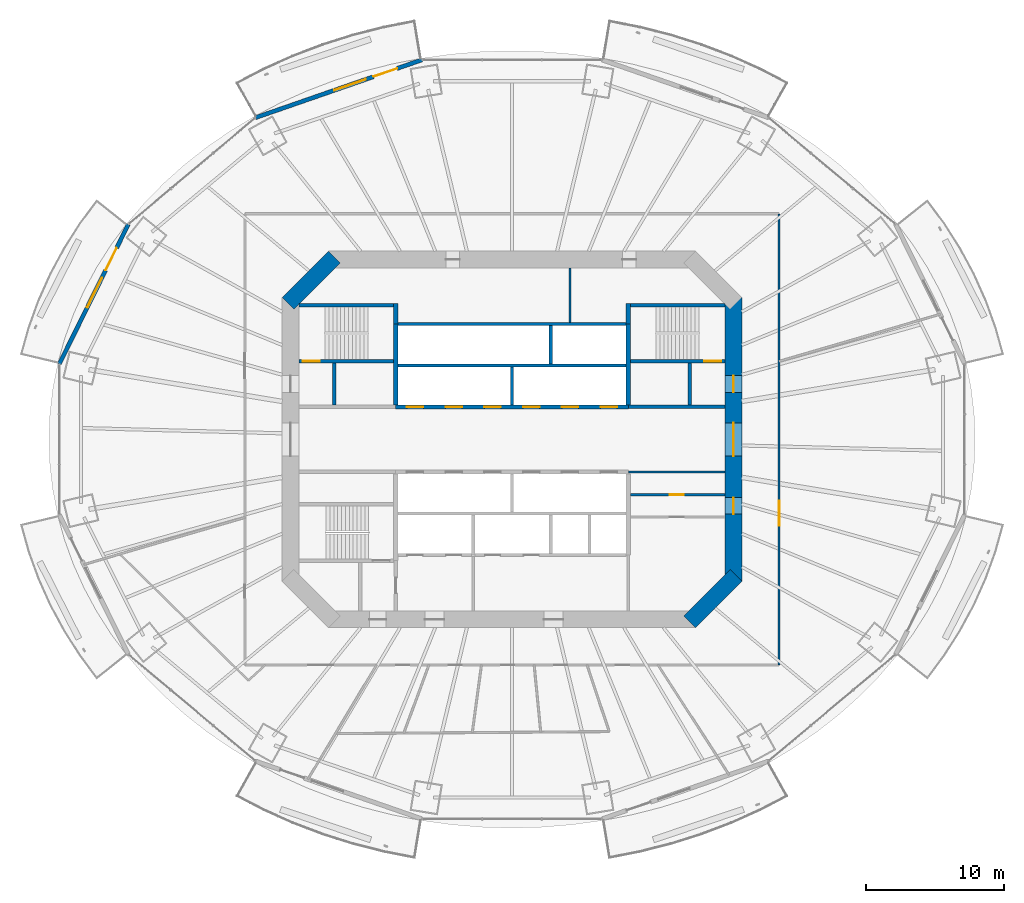
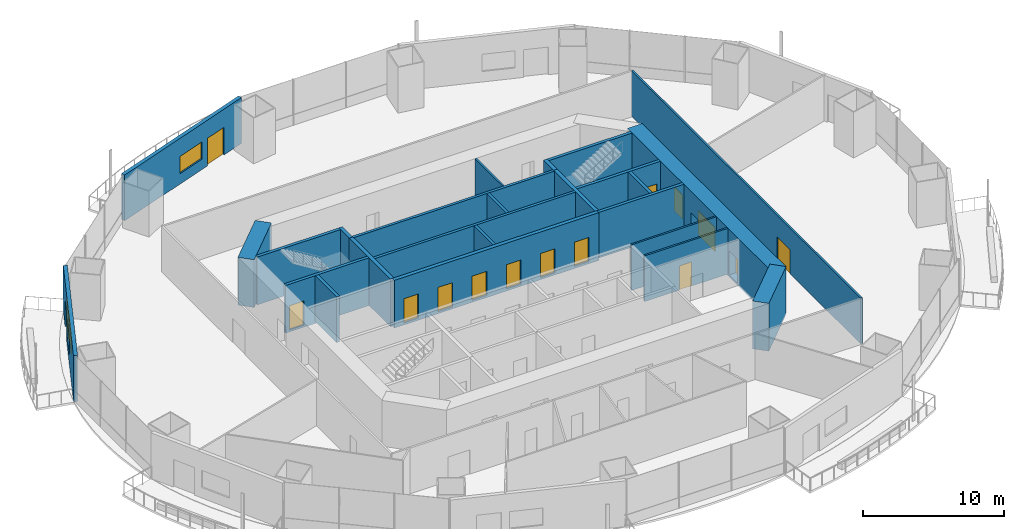
# One storey, part 14 of 20: 25 walls, 15 doors, 2 windows, 17 openings.
"""IFC4 building model written with IfcOpenShell, lengths in metres."""

from ifc_helpers import new_model, si_unit, direction, frame, frame_2d, origin, place, context, subcontext, project, spatial, rectangle, extrude, material, layer, layer_set, type_object, element, fill, save


model = new_model("IFC4")

# Units and contexts
model_context = context("Model", 3, precision=1e-05, world=origin(), true_north=direction((0.0, 1.0)))
body_context = subcontext(model_context, "Body", "Model", "MODEL_VIEW")
ifc_project = project(units=[si_unit("LENGTHUNIT", "METRE"), si_unit("AREAUNIT", "SQUARE_METRE"), si_unit("VOLUMEUNIT", "CUBIC_METRE"), si_unit("PLANEANGLEUNIT", "RADIAN"), si_unit("MASSUNIT", "GRAM", prefix="KILO")], contexts=[model_context])

# Site, building, storey
site_placement = place(None, origin())
site = spatial("IfcSite", under=ifc_project, at=site_placement, CompositionType="ELEMENT")
building_placement = place(site_placement, origin())
building = spatial("IfcBuilding", under=site, at=building_placement, Name="Marenthal Gate Tower", CompositionType="ELEMENT")
storey_placement = place(building_placement, frame((0.0, 0.0, 136.75)))
storey = spatial("IfcBuildingStorey", under=building, at=storey_placement, Name="L29", CompositionType="ELEMENT", Elevation=136.75)

# Wall
ifc_material_1 = material(Name="Concrete 60 MPa", Category="concrete")
ifc_layer_1 = layer(ifc_material_1, 1.199951171875)
ifc_layer_set_1 = layer_set([ifc_layer_1], Name="Core shear wall 1200")
wall_type_1 = type_object("IfcWallType", Name="Core shear wall 1200", PredefinedType="SHEAR", material=ifc_layer_set_1)
wall_1_placement = place(storey_placement, frame((12.82421875, -13.17578125, -0.179931640625), z_axis=(0.0, 0.0, 1.0), x_axis=(0.707106781187, 0.707106781187, 0.0)))
element("IfcWall", 1, at=wall_1_placement, inside=storey, type_object=wall_type_1, Name="Core wall 01", PredefinedType="SHEAR", context=body_context, shape_type="SweptSolid", body=[
    extrude(rectangle(XDim=4.73974609375, YDim=1.199951171875, at=frame_2d((2.369873046875, 0.0))), origin(), (0.0, 0.0, 1.0), 4.14990234375),
])

# Wall, openings, doors
wall_2_placement = place(storey_placement, frame((16.0, -10.24853515625, -0.179931640625), z_axis=(0.0, 0.0, 1.0), x_axis=(0.0, 1.0, 0.0)))
wall_2 = element("IfcWall", 2, at=wall_2_placement, inside=storey, type_object=wall_type_1, Name="Core wall 02", PredefinedType="SHEAR", context=body_context, shape_type="SweptSolid", body=[
    extrude(rectangle(XDim=20.4970703125, YDim=1.199951171875, at=frame_2d((10.24853515625, 0.0))), origin(), (0.0, 0.0, 1.0), 4.14990234375),
])
opening_1_placement = place(wall_2_placement, frame((9.048583984375, 0.0, 0.179931640625)))
opening_1 = element("IfcOpeningElement", 3, at=opening_1_placement, cuts=wall_2, Name="Opening D003.02", PredefinedType="OPENING", context=body_context, shape_type="SweptSolid", body=[
    extrude(rectangle(XDim=2.39990234375, YDim=2.10009765625, at=frame_2d((1.199951171875, 1.050048828125))), frame((0.0, 0.60986328125, 0.0), z_axis=(0.0, -1.0, 0.0), x_axis=(1.0, 0.0, 0.0)), (0.0, 0.0, 1.0), 1.219970703125),
])
opening_2_placement = place(wall_2_placement, frame((13.6484375, 0.0, 0.179931640625)))
opening_2 = element("IfcOpeningElement", 4, at=opening_2_placement, cuts=wall_2, Name="Opening D001.05", PredefinedType="OPENING", context=body_context, shape_type="SweptSolid", body=[
    extrude(rectangle(XDim=1.199951171875, YDim=2.10009765625, at=frame_2d((0.60009765625, 1.050048828125))), frame((0.0, 0.60986328125, 0.0), z_axis=(0.0, -1.0, 0.0), x_axis=(1.0, 0.0, 0.0)), (0.0, 0.0, 1.0), 1.219970703125),
])
opening_3_placement = place(wall_2_placement, frame((4.848388671875, 0.0, 0.179931640625)))
opening_3 = element("IfcOpeningElement", 5, at=opening_3_placement, cuts=wall_2, Name="Opening D006.01", PredefinedType="OPENING", context=body_context, shape_type="SweptSolid", body=[
    extrude(rectangle(XDim=1.199951171875, YDim=2.10009765625, at=frame_2d((0.60009765625, 1.050048828125))), frame((0.0, 0.60986328125, 0.0), z_axis=(0.0, -1.0, 0.0), x_axis=(1.0, 0.0, 0.0)), (0.0, 0.0, 1.0), 1.219970703125),
])
ifc_material_2 = material(Name="Steel fire door", Category="steel")
door_type_1 = type_object("IfcDoorType", Name="Double fire door FD 45 2400 x 2100", OperationType="DOUBLE_DOOR_SINGLE_SWING", PredefinedType="DOOR", material=ifc_material_2)
door_1_placement = place(opening_1_placement, origin())
door_1 = element("IfcDoor", 6, at=door_1_placement, inside=storey, type_object=door_type_1, Name="Door D003.02", OperationType="DOUBLE_DOOR_SINGLE_SWING", OverallHeight=2.10009765625, OverallWidth=2.39990234375, PredefinedType="DOOR", context=body_context, shape_type="SweptSolid", body=[
    extrude(rectangle(XDim=2.39990234375, YDim=2.10009765625, at=frame_2d((1.199951171875, 1.050048828125))), frame((0.0, 0.02490234375, 0.0), z_axis=(0.0, -1.0, 0.0), x_axis=(1.0, 0.0, 0.0)), (0.0, 0.0, 1.0), 0.050048828125),
])
fill(opening_1, door_1)
ifc_material_3 = material(Name="Steel fire door", Category="steel")
door_type_2 = type_object("IfcDoorType", Name="Fire door FD 45 1200 x 2100", OperationType="NOTDEFINED", PredefinedType="DOOR", material=ifc_material_3)
door_2_placement = place(opening_3_placement, origin())
door_2 = element("IfcDoor", 7, at=door_2_placement, inside=storey, type_object=door_type_2, Name="Door D006.01", OperationType="SINGLE_SWING_RIGHT", OverallHeight=2.10009765625, OverallWidth=1.199951171875, PredefinedType="DOOR", context=body_context, shape_type="SweptSolid", body=[
    extrude(rectangle(XDim=1.199951171875, YDim=2.10009765625, at=frame_2d((0.60009765625, 1.050048828125))), frame((0.0, 0.02490234375, 0.0), z_axis=(0.0, -1.0, 0.0), x_axis=(1.0, 0.0, 0.0)), (0.0, 0.0, 1.0), 0.050048828125),
])
fill(opening_3, door_2)
ifc_material_4 = material(Name="Steel fire door", Category="steel")
door_type_3 = type_object("IfcDoorType", Name="Fire door FD 90 1200 x 2100", OperationType="NOTDEFINED", PredefinedType="DOOR", material=ifc_material_4)
door_3_placement = place(opening_2_placement, origin())
door_3 = element("IfcDoor", 8, at=door_3_placement, inside=storey, type_object=door_type_3, Name="Door D001.05", OperationType="SINGLE_SWING_RIGHT", OverallHeight=2.10009765625, OverallWidth=1.199951171875, PredefinedType="DOOR", context=body_context, shape_type="SweptSolid", body=[
    extrude(rectangle(XDim=1.199951171875, YDim=2.10009765625, at=frame_2d((0.60009765625, 1.050048828125))), frame((0.0, 0.02490234375, 0.0), z_axis=(0.0, -1.0, 0.0), x_axis=(1.0, 0.0, 0.0)), (0.0, 0.0, 1.0), 0.050048828125),
])
fill(opening_2, door_3)

# Wall
wall_3_placement = place(storey_placement, frame((-12.82421875, 13.17578125, -0.179931640625), z_axis=(0.0, 0.0, 1.0), x_axis=(-0.707106781187, -0.707106781187, 0.0)))
element("IfcWall", 9, at=wall_3_placement, inside=storey, type_object=wall_type_1, Name="Core wall 05", PredefinedType="SHEAR", context=body_context, shape_type="SweptSolid", body=[
    extrude(rectangle(XDim=4.73974609375, YDim=1.199951171875, at=frame_2d((2.369873046875, 0.0))), origin(), (0.0, 0.0, 1.0), 4.14990234375),
])

# Wall, openings, doors
ifc_material_5 = material(Name="Concrete 50 MPa", Category="concrete")
ifc_layer_2 = layer(ifc_material_5, 0.300048828125)
ifc_layer_set_2 = layer_set([ifc_layer_2], Name="Hoistway shear wall 300")
wall_type_2 = type_object("IfcWallType", Name="Hoistway shear wall 300", PredefinedType="SHEAR", material=ifc_layer_set_2)
wall_4_placement = place(storey_placement, frame((-8.39990234375, 2.35009765625, -0.179931640625), z_axis=(0.0, 0.0, 1.0), x_axis=(1.0, 0.0, 0.0)))
wall_4 = element("IfcWall", 10, at=wall_4_placement, inside=storey, type_object=wall_type_2, Name="Hoistway wall 20", PredefinedType="SHEAR", context=body_context, shape_type="SweptSolid", body=[
    extrude(rectangle(XDim=16.7998046875, YDim=0.300048828125, at=frame_2d((8.39990234375, 0.0))), origin(), (0.0, 0.0, 1.0), 4.14990234375),
])
opening_4_placement = place(wall_4_placement, frame((0.800048828125, 0.0, 0.179931640625)))
opening_4 = element("IfcOpeningElement", 11, at=opening_4_placement, cuts=wall_4, Name="Opening LD-LP1", PredefinedType="OPENING", context=body_context, shape_type="SweptSolid", body=[
    extrude(rectangle(XDim=1.199951171875, YDim=2.10009765625, at=frame_2d((0.60009765625, 1.050048828125))), frame((0.0, 0.16015625, 0.0), z_axis=(0.0, -1.0, 0.0), x_axis=(1.0, 0.0, 0.0)), (0.0, 0.0, 1.0), 0.320068359375),
])
opening_5_placement = place(wall_4_placement, frame((3.60009765625, 0.0, 0.179931640625)))
opening_5 = element("IfcOpeningElement", 12, at=opening_5_placement, cuts=wall_4, Name="Opening LD-LP2", PredefinedType="OPENING", context=body_context, shape_type="SweptSolid", body=[
    extrude(rectangle(XDim=1.199951171875, YDim=2.10009765625, at=frame_2d((0.60009765625, 1.050048828125))), frame((0.0, 0.16015625, 0.0), z_axis=(0.0, -1.0, 0.0), x_axis=(1.0, 0.0, 0.0)), (0.0, 0.0, 1.0), 0.320068359375),
])
opening_6_placement = place(wall_4_placement, frame((6.39990234375, 0.0, 0.179931640625)))
opening_6 = element("IfcOpeningElement", 13, at=opening_6_placement, cuts=wall_4, Name="Opening LD-LP3", PredefinedType="OPENING", context=body_context, shape_type="SweptSolid", body=[
    extrude(rectangle(XDim=1.199951171875, YDim=2.10009765625, at=frame_2d((0.60009765625, 1.050048828125))), frame((0.0, 0.16015625, 0.0), z_axis=(0.0, -1.0, 0.0), x_axis=(1.0, 0.0, 0.0)), (0.0, 0.0, 1.0), 0.320068359375),
])
opening_7_placement = place(wall_4_placement, frame((9.199951171875, 0.0, 0.179931640625)))
opening_7 = element("IfcOpeningElement", 14, at=opening_7_placement, cuts=wall_4, Name="Opening LD-LP4", PredefinedType="OPENING", context=body_context, shape_type="SweptSolid", body=[
    extrude(rectangle(XDim=1.199951171875, YDim=2.10009765625, at=frame_2d((0.60009765625, 1.050048828125))), frame((0.0, 0.16015625, 0.0), z_axis=(0.0, -1.0, 0.0), x_axis=(1.0, 0.0, 0.0)), (0.0, 0.0, 1.0), 0.320068359375),
])
opening_8_placement = place(wall_4_placement, frame((12.0, 0.0, 0.179931640625)))
opening_8 = element("IfcOpeningElement", 15, at=opening_8_placement, cuts=wall_4, Name="Opening LD-LP5", PredefinedType="OPENING", context=body_context, shape_type="SweptSolid", body=[
    extrude(rectangle(XDim=1.199951171875, YDim=2.10009765625, at=frame_2d((0.60009765625, 1.050048828125))), frame((0.0, 0.16015625, 0.0), z_axis=(0.0, -1.0, 0.0), x_axis=(1.0, 0.0, 0.0)), (0.0, 0.0, 1.0), 0.320068359375),
])
opening_9_placement = place(wall_4_placement, frame((14.800048828125, 0.0, 0.179931640625)))
opening_9 = element("IfcOpeningElement", 16, at=opening_9_placement, cuts=wall_4, Name="Opening LD-LP6", PredefinedType="OPENING", context=body_context, shape_type="SweptSolid", body=[
    extrude(rectangle(XDim=1.199951171875, YDim=2.10009765625, at=frame_2d((0.60009765625, 1.050048828125))), frame((0.0, 0.16015625, 0.0), z_axis=(0.0, -1.0, 0.0), x_axis=(1.0, 0.0, 0.0)), (0.0, 0.0, 1.0), 0.320068359375),
])
ifc_material_6 = material(Name="Stainless steel sliding door", Category="steel")
door_type_4 = type_object("IfcDoorType", Name="Lift landing door FD 90 1200 x 2100", OperationType="DOUBLE_DOOR_SLIDING", PredefinedType="DOOR", material=ifc_material_6)
door_4_placement = place(opening_4_placement, origin())
door_4 = element("IfcDoor", 17, at=door_4_placement, inside=storey, type_object=door_type_4, Name="Lift landing door LP1", OperationType="DOUBLE_DOOR_SLIDING", OverallHeight=2.10009765625, OverallWidth=1.199951171875, PredefinedType="DOOR", context=body_context, shape_type="SweptSolid", body=[
    extrude(rectangle(XDim=1.199951171875, YDim=2.10009765625, at=frame_2d((0.60009765625, 1.050048828125))), frame((0.0, 0.02490234375, 0.0), z_axis=(0.0, -1.0, 0.0), x_axis=(1.0, 0.0, 0.0)), (0.0, 0.0, 1.0), 0.050048828125),
])
fill(opening_4, door_4)
door_5_placement = place(opening_5_placement, origin())
door_5 = element("IfcDoor", 18, at=door_5_placement, inside=storey, type_object=door_type_4, Name="Lift landing door LP2", OperationType="DOUBLE_DOOR_SLIDING", OverallHeight=2.10009765625, OverallWidth=1.199951171875, PredefinedType="DOOR", context=body_context, shape_type="SweptSolid", body=[
    extrude(rectangle(XDim=1.199951171875, YDim=2.10009765625, at=frame_2d((0.60009765625, 1.050048828125))), frame((0.0, 0.02490234375, 0.0), z_axis=(0.0, -1.0, 0.0), x_axis=(1.0, 0.0, 0.0)), (0.0, 0.0, 1.0), 0.050048828125),
])
fill(opening_5, door_5)
door_6_placement = place(opening_6_placement, origin())
door_6 = element("IfcDoor", 19, at=door_6_placement, inside=storey, type_object=door_type_4, Name="Lift landing door LP3", OperationType="DOUBLE_DOOR_SLIDING", OverallHeight=2.10009765625, OverallWidth=1.199951171875, PredefinedType="DOOR", context=body_context, shape_type="SweptSolid", body=[
    extrude(rectangle(XDim=1.199951171875, YDim=2.10009765625, at=frame_2d((0.60009765625, 1.050048828125))), frame((0.0, 0.02490234375, 0.0), z_axis=(0.0, -1.0, 0.0), x_axis=(1.0, 0.0, 0.0)), (0.0, 0.0, 1.0), 0.050048828125),
])
fill(opening_6, door_6)
door_7_placement = place(opening_7_placement, origin())
door_7 = element("IfcDoor", 20, at=door_7_placement, inside=storey, type_object=door_type_4, Name="Lift landing door LP4", OperationType="DOUBLE_DOOR_SLIDING", OverallHeight=2.10009765625, OverallWidth=1.199951171875, PredefinedType="DOOR", context=body_context, shape_type="SweptSolid", body=[
    extrude(rectangle(XDim=1.199951171875, YDim=2.10009765625, at=frame_2d((0.60009765625, 1.050048828125))), frame((0.0, 0.02490234375, 0.0), z_axis=(0.0, -1.0, 0.0), x_axis=(1.0, 0.0, 0.0)), (0.0, 0.0, 1.0), 0.050048828125),
])
fill(opening_7, door_7)
door_8_placement = place(opening_8_placement, origin())
door_8 = element("IfcDoor", 21, at=door_8_placement, inside=storey, type_object=door_type_4, Name="Lift landing door LP5", OperationType="DOUBLE_DOOR_SLIDING", OverallHeight=2.10009765625, OverallWidth=1.199951171875, PredefinedType="DOOR", context=body_context, shape_type="SweptSolid", body=[
    extrude(rectangle(XDim=1.199951171875, YDim=2.10009765625, at=frame_2d((0.60009765625, 1.050048828125))), frame((0.0, 0.02490234375, 0.0), z_axis=(0.0, -1.0, 0.0), x_axis=(1.0, 0.0, 0.0)), (0.0, 0.0, 1.0), 0.050048828125),
])
fill(opening_8, door_8)
door_9_placement = place(opening_9_placement, origin())
door_9 = element("IfcDoor", 22, at=door_9_placement, inside=storey, type_object=door_type_4, Name="Lift landing door LP6", OperationType="DOUBLE_DOOR_SLIDING", OverallHeight=2.10009765625, OverallWidth=1.199951171875, PredefinedType="DOOR", context=body_context, shape_type="SweptSolid", body=[
    extrude(rectangle(XDim=1.199951171875, YDim=2.10009765625, at=frame_2d((0.60009765625, 1.050048828125))), frame((0.0, 0.02490234375, 0.0), z_axis=(0.0, -1.0, 0.0), x_axis=(1.0, 0.0, 0.0)), (0.0, 0.0, 1.0), 0.050048828125),
])
fill(opening_9, door_9)

# Walls
for number, where, z_axis, x_axis, name in (
    (23, (-8.39990234375, 2.5, -0.179931640625), (0.0, 0.0, 1.0), (0.0, 1.0, 0.0), "Hoistway wall 32"),
    (24, (8.39990234375, 2.5, -0.179931640625), (0.0, 0.0, 1.0), (0.0, 1.0, 0.0), "Hoistway wall 44"),
):
    element("IfcWall", number, at=place(storey_placement, frame(where, z_axis=z_axis, x_axis=x_axis)), inside=storey, type_object=wall_type_2, Name=name, PredefinedType="SHEAR", context=body_context, shape_type="SweptSolid", body=[
        extrude(rectangle(XDim=5.85009765625, YDim=0.300048828125, at=frame_2d((2.925048828125, 0.0))), origin(), (0.0, 0.0, 1.0), 4.14990234375),
    ])
ifc_material_7 = material(Name="Concrete 40 MPa", Category="concrete")
ifc_layer_3 = layer(ifc_material_7, 0.219970703125)
ifc_layer_set_3 = layer_set([ifc_layer_3], Name="Hoistway wall 220")
wall_type_3 = type_object("IfcWallType", Name="Hoistway wall 220", PredefinedType="STANDARD", material=ifc_layer_set_3)
for number, where, z_axis, x_axis, name in (
    (25, (-8.25, 5.35009765625, 0.0), (0.0, 0.0, 1.0), (1.0, 0.0, 0.0), "Hoistway wall 22"),
    (26, (-8.25, 8.35009765625, 0.0), (0.0, 0.0, 1.0), (1.0, 0.0, 0.0), "Hoistway wall 25"),
):
    element("IfcWall", number, at=place(storey_placement, frame(where, z_axis=z_axis, x_axis=x_axis)), inside=storey, type_object=wall_type_3, Name=name, PredefinedType="STANDARD", context=body_context, shape_type="SweptSolid", body=[
        extrude(rectangle(XDim=16.5, YDim=0.219970703125, at=frame_2d((8.25, 0.0))), origin(), (0.0, 0.0, 1.0), 3.969970703125),
    ])
wall_5_placement = place(storey_placement, frame((0.0, 2.5, 0.0), z_axis=(0.0, 0.0, 1.0), x_axis=(0.0, 1.0, 0.0)))
element("IfcWall", 27, at=wall_5_placement, inside=storey, type_object=wall_type_3, Name="Hoistway wall 37", PredefinedType="STANDARD", context=body_context, shape_type="SweptSolid", body=[
    extrude(rectangle(XDim=2.739990234375, YDim=0.219970703125, at=frame_2d((1.3701171875, 0.0))), origin(), (0.0, 0.0, 1.0), 3.969970703125),
])
wall_6_placement = place(storey_placement, frame((2.800048828125, 5.4599609375, 0.0), z_axis=(0.0, 0.0, 1.0), x_axis=(0.0, 1.0, 0.0)))
element("IfcWall", 28, at=wall_6_placement, inside=storey, type_object=wall_type_3, Name="Hoistway wall 39", PredefinedType="STANDARD", context=body_context, shape_type="SweptSolid", body=[
    extrude(rectangle(XDim=2.780029296875, YDim=0.219970703125, at=frame_2d((1.39013671875, 0.0))), origin(), (0.0, 0.0, 1.0), 3.969970703125),
])

# Wall, opening, door
ifc_material_8 = material(Name="Gypsum board on steel studs", Category="steel")
ifc_layer_4 = layer(ifc_material_8, 0.14990234375)
ifc_layer_set_4 = layer_set([ifc_layer_4], Name="Partition 150")
wall_type_4 = type_object("IfcWallType", Name="Partition 150", PredefinedType="PARTITIONING", material=ifc_layer_set_4)
wall_7_placement = place(storey_placement, frame((8.550048828125, -4.0, 0.0), z_axis=(0.0, 0.0, 1.0), x_axis=(1.0, 0.0, 0.0)))
wall_7 = element("IfcWall", 29, at=wall_7_placement, inside=storey, type_object=wall_type_4, Name="Partition wall 15", PredefinedType="PARTITIONING", context=body_context, shape_type="SweptSolid", body=[
    extrude(rectangle(XDim=6.849853515625, YDim=0.14990234375, at=frame_2d((3.4248046875, 0.0))), origin(), (0.0, 0.0, 1.0), 3.969970703125),
])
opening_10_placement = place(wall_7_placement, frame((2.85009765625, 0.0, 0.0)))
opening_10 = element("IfcOpeningElement", 30, at=opening_10_placement, cuts=wall_7, Name="Opening D005.03", PredefinedType="OPENING", context=body_context, shape_type="SweptSolid", body=[
    extrude(rectangle(XDim=1.0, YDim=2.10009765625, at=frame_2d((0.5, 1.050048828125))), frame((0.0, 0.0849609375, 0.0), z_axis=(0.0, -1.0, 0.0), x_axis=(1.0, 0.0, 0.0)), (0.0, 0.0, 1.0), 0.169921875),
])
ifc_material_9 = material(Name="Steel fire door", Category="steel")
door_type_5 = type_object("IfcDoorType", Name="Fire door FD 45 1000 x 2100", OperationType="NOTDEFINED", PredefinedType="DOOR", material=ifc_material_9)
door_10_placement = place(opening_10_placement, origin())
door_10 = element("IfcDoor", 31, at=door_10_placement, inside=storey, type_object=door_type_5, Name="Door D005.03", OperationType="SINGLE_SWING_RIGHT", OverallHeight=2.10009765625, OverallWidth=1.0, PredefinedType="DOOR", context=body_context, shape_type="SweptSolid", body=[
    extrude(rectangle(XDim=1.0, YDim=2.10009765625, at=frame_2d((0.5, 1.050048828125))), frame((0.0, 0.02490234375, 0.0), z_axis=(0.0, -1.0, 0.0), x_axis=(1.0, 0.0, 0.0)), (0.0, 0.0, 1.0), 0.050048828125),
])
fill(opening_10, door_10)

# Walls
wall_8_placement = place(storey_placement, frame((8.39990234375, -2.35009765625, 0.0), z_axis=(0.0, 0.0, 1.0), x_axis=(1.0, 0.0, 0.0)))
element("IfcWall", 32, at=wall_8_placement, inside=storey, type_object=wall_type_4, Name="Partition wall 18", PredefinedType="PARTITIONING", context=body_context, shape_type="SweptSolid", body=[
    extrude(rectangle(XDim=7.0, YDim=0.14990234375, at=frame_2d((3.5, 0.0))), origin(), (0.0, 0.0, 1.0), 3.969970703125),
])
wall_9_placement = place(storey_placement, frame((4.199951171875, 8.4599609375, 0.0), z_axis=(0.0, 0.0, 1.0), x_axis=(0.0, 1.0, 0.0)))
element("IfcWall", 33, at=wall_9_placement, inside=storey, type_object=wall_type_4, Name="Partition wall 40", PredefinedType="PARTITIONING", context=body_context, shape_type="SweptSolid", body=[
    extrude(rectangle(XDim=3.93994140625, YDim=0.14990234375, at=frame_2d((1.969970703125, 0.0))), origin(), (0.0, 0.0, 1.0), 3.969970703125),
])

# Wall, opening, door
wall_10_placement = place(storey_placement, frame((19.300048828125, 16.300048828125, 0.0), z_axis=(0.0, 0.0, 1.0), x_axis=(0.0, -1.0, 0.0)))
wall_10 = element("IfcWall", 34, at=wall_10_placement, inside=storey, type_object=wall_type_4, Name="Partition wall 61", PredefinedType="PARTITIONING", context=body_context, shape_type="SweptSolid", body=[
    extrude(rectangle(XDim=32.60009765625, YDim=0.14990234375, at=frame_2d((16.300048828125, 0.0))), origin(), (0.0, 0.0, 1.0), 3.969970703125),
])
opening_11_placement = place(wall_10_placement, frame((20.72998046875, 0.0, 0.0)))
opening_11 = element("IfcOpeningElement", 35, at=opening_11_placement, cuts=wall_10, Name="Opening D014.03", PredefinedType="OPENING", context=body_context, shape_type="SweptSolid", body=[
    extrude(rectangle(XDim=1.800048828125, YDim=2.10009765625, at=frame_2d((0.89990234375, 1.050048828125))), frame((0.0, 0.0849609375, 0.0), z_axis=(0.0, -1.0, 0.0), x_axis=(1.0, 0.0, 0.0)), (0.0, 0.0, 1.0), 0.169921875),
])
ifc_material_10 = material(Name="Timber door", Category="wood")
door_type_6 = type_object("IfcDoorType", Name="Double door 1800 x 2100", OperationType="DOUBLE_DOOR_SINGLE_SWING", PredefinedType="DOOR", material=ifc_material_10)
door_11_placement = place(opening_11_placement, origin())
door_11 = element("IfcDoor", 36, at=door_11_placement, inside=storey, type_object=door_type_6, Name="Door D014.03", OperationType="DOUBLE_DOOR_SINGLE_SWING", OverallHeight=2.10009765625, OverallWidth=1.800048828125, PredefinedType="DOOR", context=body_context, shape_type="SweptSolid", body=[
    extrude(rectangle(XDim=1.800048828125, YDim=2.10009765625, at=frame_2d((0.89990234375, 1.050048828125))), frame((0.0, 0.02490234375, 0.0), z_axis=(0.0, -1.0, 0.0), x_axis=(1.0, 0.0, 0.0)), (0.0, 0.0, 1.0), 0.050048828125),
])
fill(opening_11, door_11)

# Walls
ifc_material_11 = material(Name="Concrete 40 MPa", Category="concrete")
ifc_layer_5 = layer(ifc_material_11, 0.25)
ifc_layer_set_5 = layer_set([ifc_layer_5], Name="Stair enclosure wall 250")
wall_type_5 = type_object("IfcWallType", Name="Stair enclosure wall 250", PredefinedType="STANDARD", material=ifc_layer_set_5)
wall_11_placement = place(storey_placement, frame((8.39990234375, 2.35009765625, 0.0), z_axis=(0.0, 0.0, 1.0), x_axis=(1.0, 0.0, 0.0)))
element("IfcWall", 37, at=wall_11_placement, inside=storey, type_object=wall_type_5, Name="Stair wall 21", PredefinedType="STANDARD", context=body_context, shape_type="SweptSolid", body=[
    extrude(rectangle(XDim=7.0, YDim=0.25, at=frame_2d((3.5, 0.0))), origin(), (0.0, 0.0, 1.0), 3.969970703125),
])
for number, where, z_axis, x_axis, name in (
    (38, (-12.85009765625, 2.47509765625, 0.0), (0.0, 0.0, 1.0), (0.0, 1.0, 0.0), "Stair wall 28"),
    (39, (12.85009765625, 2.47509765625, 0.0), (0.0, 0.0, 1.0), (0.0, 1.0, 0.0), "Stair wall 46"),
):
    element("IfcWall", number, at=place(storey_placement, frame(where, z_axis=z_axis, x_axis=x_axis)), inside=storey, type_object=wall_type_5, Name=name, PredefinedType="STANDARD", context=body_context, shape_type="SweptSolid", body=[
        extrude(rectangle(XDim=3.0498046875, YDim=0.25, at=frame_2d((1.52490234375, 0.0))), origin(), (0.0, 0.0, 1.0), 3.969970703125),
    ])

# Wall, opening, door
ifc_material_12 = material(Name="Concrete 50 MPa", Category="concrete")
ifc_layer_6 = layer(ifc_material_12, 0.25)
ifc_layer_set_6 = layer_set([ifc_layer_6], Name="Stair shear wall 250")
wall_type_6 = type_object("IfcWallType", Name="Stair shear wall 250", PredefinedType="SHEAR", material=ifc_layer_set_6)
wall_12_placement = place(storey_placement, frame((-15.39990234375, 5.64990234375, -0.179931640625), z_axis=(0.0, 0.0, 1.0), x_axis=(1.0, 0.0, 0.0)))
wall_12 = element("IfcWall", 40, at=wall_12_placement, inside=storey, type_object=wall_type_6, Name="Stair wall 23", PredefinedType="SHEAR", context=body_context, shape_type="SweptSolid", body=[
    extrude(rectangle(XDim=6.849853515625, YDim=0.25, at=frame_2d((3.4248046875, 0.0))), origin(), (0.0, 0.0, 1.0), 4.14990234375),
])
opening_12_placement = place(wall_12_placement, frame((0.300048828125, 0.0, 0.179931640625)))
opening_12 = element("IfcOpeningElement", 41, at=opening_12_placement, cuts=wall_12, Name="Opening D001.01", PredefinedType="OPENING", context=body_context, shape_type="SweptSolid", body=[
    extrude(rectangle(XDim=1.199951171875, YDim=2.10009765625, at=frame_2d((0.60009765625, 1.050048828125))), frame((0.0, 0.135009765625, 0.0), z_axis=(0.0, -1.0, 0.0), x_axis=(1.0, 0.0, 0.0)), (0.0, 0.0, 1.0), 0.27001953125),
])
door_12_placement = place(opening_12_placement, origin())
door_12 = element("IfcDoor", 42, at=door_12_placement, inside=storey, type_object=door_type_3, Name="Door D001.01", OperationType="SINGLE_SWING_RIGHT", OverallHeight=2.10009765625, OverallWidth=1.199951171875, PredefinedType="DOOR", context=body_context, shape_type="SweptSolid", body=[
    extrude(rectangle(XDim=1.199951171875, YDim=2.10009765625, at=frame_2d((0.60009765625, 1.050048828125))), frame((0.0, 0.02490234375, 0.0), z_axis=(0.0, -1.0, 0.0), x_axis=(1.0, 0.0, 0.0)), (0.0, 0.0, 1.0), 0.050048828125),
])
fill(opening_12, door_12)

wall_13_placement = place(storey_placement, frame((8.550048828125, 5.64990234375, -0.179931640625), z_axis=(0.0, 0.0, 1.0), x_axis=(1.0, 0.0, 0.0)))
wall_13 = element("IfcWall", 43, at=wall_13_placement, inside=storey, type_object=wall_type_6, Name="Stair wall 24", PredefinedType="SHEAR", context=body_context, shape_type="SweptSolid", body=[
    extrude(rectangle(XDim=6.849853515625, YDim=0.25, at=frame_2d((3.4248046875, 0.0))), origin(), (0.0, 0.0, 1.0), 4.14990234375),
])
opening_13_placement = place(wall_13_placement, frame((5.35009765625, 0.0, 0.179931640625)))
opening_13 = element("IfcOpeningElement", 44, at=opening_13_placement, cuts=wall_13, Name="Opening D001.02", PredefinedType="OPENING", context=body_context, shape_type="SweptSolid", body=[
    extrude(rectangle(XDim=1.199951171875, YDim=2.10009765625, at=frame_2d((0.60009765625, 1.050048828125))), frame((0.0, 0.135009765625, 0.0), z_axis=(0.0, -1.0, 0.0), x_axis=(1.0, 0.0, 0.0)), (0.0, 0.0, 1.0), 0.27001953125),
])
door_13_placement = place(opening_13_placement, origin())
door_13 = element("IfcDoor", 45, at=door_13_placement, inside=storey, type_object=door_type_3, Name="Door D001.02", OperationType="SINGLE_SWING_RIGHT", OverallHeight=2.10009765625, OverallWidth=1.199951171875, PredefinedType="DOOR", context=body_context, shape_type="SweptSolid", body=[
    extrude(rectangle(XDim=1.199951171875, YDim=2.10009765625, at=frame_2d((0.60009765625, 1.050048828125))), frame((0.0, 0.02490234375, 0.0), z_axis=(0.0, -1.0, 0.0), x_axis=(1.0, 0.0, 0.0)), (0.0, 0.0, 1.0), 0.050048828125),
])
fill(opening_13, door_13)

# Walls
for number, where, z_axis, x_axis, name in (
    (46, (-15.39990234375, 9.699951171875, -0.179931640625), (0.0, 0.0, 1.0), (1.0, 0.0, 0.0), "Stair wall 26"),
    (47, (8.550048828125, 9.699951171875, -0.179931640625), (0.0, 0.0, 1.0), (1.0, 0.0, 0.0), "Stair wall 27"),
):
    element("IfcWall", number, at=place(storey_placement, frame(where, z_axis=z_axis, x_axis=x_axis)), inside=storey, type_object=wall_type_6, Name=name, PredefinedType="SHEAR", context=body_context, shape_type="SweptSolid", body=[
        extrude(rectangle(XDim=6.849853515625, YDim=0.25, at=frame_2d((3.4248046875, 0.0))), origin(), (0.0, 0.0, 1.0), 4.14990234375),
    ])
ifc_material_13 = material(Name="Concrete 50 MPa", Category="concrete")
ifc_layer_7 = layer(ifc_material_13, 0.300048828125)
ifc_layer_set_7 = layer_set([ifc_layer_7], Name="Stair shear wall 300")
wall_type_7 = type_object("IfcWallType", Name="Stair shear wall 300", PredefinedType="SHEAR", material=ifc_layer_set_7)
for number, where, z_axis, x_axis, name in (
    (48, (-8.39990234375, 8.35009765625, -0.179931640625), (0.0, 0.0, 1.0), (0.0, 1.0, 0.0), "Stair wall 33"),
    (49, (8.39990234375, 8.35009765625, -0.179931640625), (0.0, 0.0, 1.0), (0.0, 1.0, 0.0), "Stair wall 45"),
):
    element("IfcWall", number, at=place(storey_placement, frame(where, z_axis=z_axis, x_axis=x_axis)), inside=storey, type_object=wall_type_7, Name=name, PredefinedType="SHEAR", context=body_context, shape_type="SweptSolid", body=[
        extrude(rectangle(XDim=1.474853515625, YDim=0.300048828125, at=frame_2d((0.7373046875, 0.0))), origin(), (0.0, 0.0, 1.0), 4.14990234375),
    ])

# Wall, openings, door, window
ifc_material_14 = material(Name="Terracotta cladding on insulated concrete-block backing", Category="masonry")
ifc_layer_8 = layer(ifc_material_14, 0.300048828125)
ifc_layer_set_8 = layer_set([ifc_layer_8], Name="Terracotta facade wall 300")
wall_type_8 = type_object("IfcWallType", Name="Terracotta facade wall 300", PredefinedType="SOLIDWALL", material=ifc_layer_set_8)
wall_14_placement = place(storey_placement, frame((-6.504638671875, 27.419921875, 0.0), z_axis=(0.0, 0.0, 1.0), x_axis=(-0.944644510201, -0.32809564055, 0.0)))
wall_14 = element("IfcWall", 50, at=wall_14_placement, inside=storey, type_object=wall_type_8, Name="Terracotta facade wall L29 bay 5", PredefinedType="SOLIDWALL", context=body_context, shape_type="SweptSolid", body=[
    extrude(rectangle(XDim=12.7236328125, YDim=0.300048828125, at=frame_2d((6.36181640625, 0.0))), origin(), (0.0, 0.0, 1.0), 3.969970703125),
])
opening_14_placement = place(wall_14_placement, frame((1.89990234375, 0.0, 0.0)))
opening_14 = element("IfcOpeningElement", 51, at=opening_14_placement, cuts=wall_14, Name="Opening BD-L29-05", PredefinedType="OPENING", context=body_context, shape_type="SweptSolid", body=[
    extrude(rectangle(XDim=1.800048828125, YDim=2.39990234375, at=frame_2d((0.89990234375, 1.199951171875))), frame((0.0, 0.16015625, 0.0), z_axis=(0.0, -1.0, 0.0), x_axis=(1.0, 0.0, 0.0)), (0.0, 0.0, 1.0), 0.320068359375),
])
opening_15_placement = place(wall_14_placement, frame((4.300048828125, 0.0, 0.89990234375)))
opening_15 = element("IfcOpeningElement", 52, at=opening_15_placement, cuts=wall_14, Name="Opening WN1-L29-05", PredefinedType="OPENING", context=body_context, shape_type="SweptSolid", body=[
    extrude(rectangle(XDim=2.39990234375, YDim=1.5, at=frame_2d((1.199951171875, 0.75))), frame((0.0, 0.16015625, 0.0), z_axis=(0.0, -1.0, 0.0), x_axis=(1.0, 0.0, 0.0)), (0.0, 0.0, 1.0), 0.320068359375),
])
ifc_material_15 = material(Name="Aluminium and glass", Category="aluminium")
door_type_7 = type_object("IfcDoorType", Name="Balcony door 1800x2400", OperationType="DOUBLE_DOOR_SINGLE_SWING", PredefinedType="DOOR", material=ifc_material_15)
door_14_placement = place(opening_14_placement, origin())
door_14 = element("IfcDoor", 53, at=door_14_placement, inside=storey, type_object=door_type_7, Name="Balcony door L29 bay 5", OperationType="SINGLE_SWING_LEFT", OverallHeight=2.39990234375, OverallWidth=1.800048828125, PredefinedType="DOOR", context=body_context, shape_type="SweptSolid", body=[
    extrude(rectangle(XDim=1.800048828125, YDim=2.39990234375, at=frame_2d((0.89990234375, 1.199951171875))), frame((0.0, 0.02490234375, 0.0), z_axis=(0.0, -1.0, 0.0), x_axis=(1.0, 0.0, 0.0)), (0.0, 0.0, 1.0), 0.050048828125),
])
fill(opening_14, door_14)
ifc_material_16 = material(Name="Aluminium and glass", Category="aluminium")
window_type = type_object("IfcWindowType", Name="Window 2400x1500", PartitioningType="TRIPLE_PANEL_VERTICAL", PredefinedType="WINDOW", material=ifc_material_16)
window_1_placement = place(opening_15_placement, origin())
window_1 = element("IfcWindow", 54, at=window_1_placement, inside=storey, type_object=window_type, Name="Window L29 bay 5", OverallHeight=1.5, OverallWidth=2.39990234375, PartitioningType="SINGLE_PANEL", PredefinedType="WINDOW", context=body_context, shape_type="SweptSolid", body=[
    extrude(rectangle(XDim=2.39990234375, YDim=1.5, at=frame_2d((1.199951171875, 0.75))), frame((0.0, 0.030029296875, 0.0), z_axis=(0.0, -1.0, 0.0), x_axis=(1.0, 0.0, 0.0)), (0.0, 0.0, 1.0), 0.06005859375),
])
fill(opening_15, window_1)

wall_15_placement = place(storey_placement, frame((-27.722900390625, 15.531982421875, 0.0), z_axis=(0.0, 0.0, 1.0), x_axis=(-0.442907927452, -0.896567101672, 0.0)))
wall_15 = element("IfcWall", 55, at=wall_15_placement, inside=storey, type_object=wall_type_8, Name="Terracotta facade wall L29 bay 7", PredefinedType="SOLIDWALL", context=body_context, shape_type="SweptSolid", body=[
    extrude(rectangle(XDim=11.240478515625, YDim=0.300048828125, at=frame_2d((5.6201171875, 0.0))), origin(), (0.0, 0.0, 1.0), 3.969970703125),
])
opening_16_placement = place(wall_15_placement, frame((1.89990234375, 0.0, 0.0)))
opening_16 = element("IfcOpeningElement", 56, at=opening_16_placement, cuts=wall_15, Name="Opening BD-L29-07", PredefinedType="OPENING", context=body_context, shape_type="SweptSolid", body=[
    extrude(rectangle(XDim=1.800048828125, YDim=2.39990234375, at=frame_2d((0.89990234375, 1.199951171875))), frame((0.0, 0.16015625, 0.0), z_axis=(0.0, -1.0, 0.0), x_axis=(1.0, 0.0, 0.0)), (0.0, 0.0, 1.0), 0.320068359375),
])
opening_17_placement = place(wall_15_placement, frame((4.300048828125, 0.0, 0.89990234375)))
opening_17 = element("IfcOpeningElement", 57, at=opening_17_placement, cuts=wall_15, Name="Opening WN1-L29-07", PredefinedType="OPENING", context=body_context, shape_type="SweptSolid", body=[
    extrude(rectangle(XDim=2.39990234375, YDim=1.5, at=frame_2d((1.199951171875, 0.75))), frame((0.0, 0.16015625, 0.0), z_axis=(0.0, -1.0, 0.0), x_axis=(1.0, 0.0, 0.0)), (0.0, 0.0, 1.0), 0.320068359375),
])
door_15_placement = place(opening_16_placement, origin())
door_15 = element("IfcDoor", 58, at=door_15_placement, inside=storey, type_object=door_type_7, Name="Balcony door L29 bay 7", OperationType="SINGLE_SWING_LEFT", OverallHeight=2.39990234375, OverallWidth=1.800048828125, PredefinedType="DOOR", context=body_context, shape_type="SweptSolid", body=[
    extrude(rectangle(XDim=1.800048828125, YDim=2.39990234375, at=frame_2d((0.89990234375, 1.199951171875))), frame((0.0, 0.02490234375, 0.0), z_axis=(0.0, -1.0, 0.0), x_axis=(1.0, 0.0, 0.0)), (0.0, 0.0, 1.0), 0.050048828125),
])
fill(opening_16, door_15)
window_2_placement = place(opening_17_placement, origin())
window_2 = element("IfcWindow", 59, at=window_2_placement, inside=storey, type_object=window_type, Name="Window L29 bay 7", OverallHeight=1.5, OverallWidth=2.39990234375, PartitioningType="SINGLE_PANEL", PredefinedType="WINDOW", context=body_context, shape_type="SweptSolid", body=[
    extrude(rectangle(XDim=2.39990234375, YDim=1.5, at=frame_2d((1.199951171875, 0.75))), frame((0.0, 0.030029296875, 0.0), z_axis=(0.0, -1.0, 0.0), x_axis=(1.0, 0.0, 0.0)), (0.0, 0.0, 1.0), 0.06005859375),
])
fill(opening_17, window_2)

save(model, "model.ifc")
